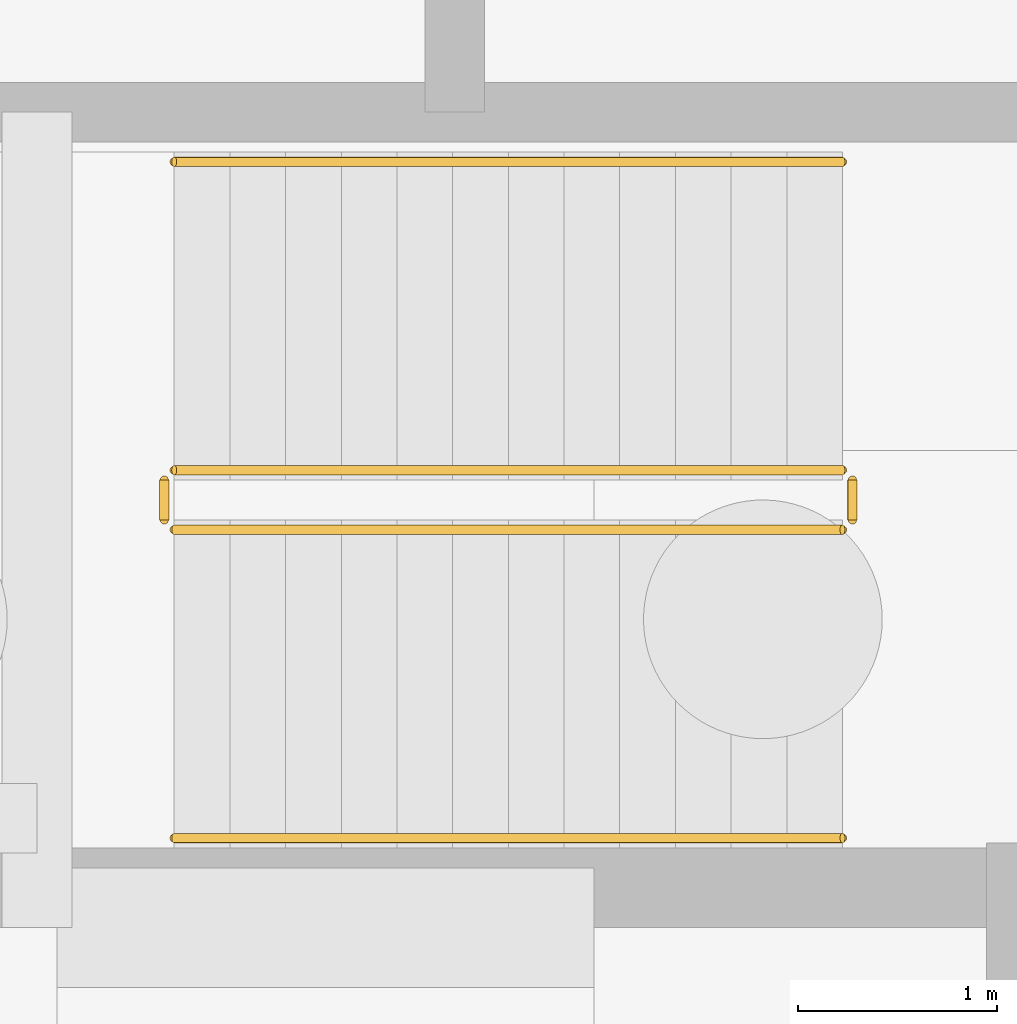
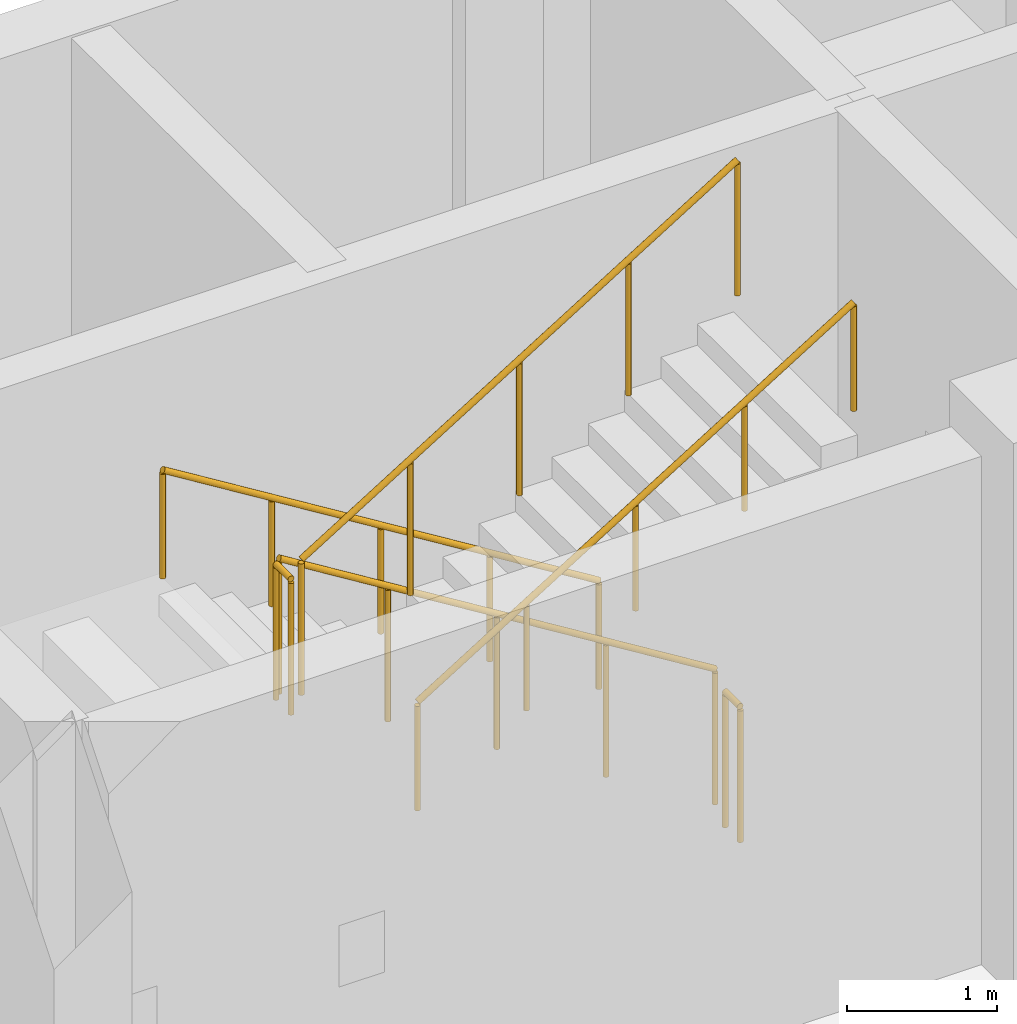
# One storey, part 39 of 42: 6 railings.
"""IFC4 building model written with IfcOpenShell, lengths in metres."""

from ifc_helpers import new_model, si_unit, direction, frame, origin, origin_2d, place, context, subcontext, project, spatial, circle, extrude, material, type_object, element, save


model = new_model("IFC4")

# Units and contexts
model_context = context("Model", 3, precision=1e-05, world=origin(), true_north=direction((0.0, 1.0)))
body_context = subcontext(model_context, "Body", "Model", "MODEL_VIEW")
ifc_project = project(units=[si_unit("LENGTHUNIT", "METRE"), si_unit("AREAUNIT", "SQUARE_METRE"), si_unit("VOLUMEUNIT", "CUBIC_METRE"), si_unit("PLANEANGLEUNIT", "RADIAN"), si_unit("MASSUNIT", "GRAM", prefix="KILO")], contexts=[model_context])

# Site, building, storey
site_placement = place(None, origin())
site = spatial("IfcSite", under=ifc_project, at=site_placement, CompositionType="ELEMENT")
building_placement = place(site_placement, origin())
building = spatial("IfcBuilding", under=site, at=building_placement, Name="Dalvernix Boulevard General Hospital", CompositionType="ELEMENT")
storey_placement = place(building_placement, frame((0.0, 0.0, -4.5)))
storey = spatial("IfcBuildingStorey", under=building, at=storey_placement, Name="B1", CompositionType="ELEMENT", Elevation=-4.5)

# Railings
ifc_material_1 = material(Name="Brushed stainless steel balustrade", Category="steel")
railing_type_1 = type_object("IfcRailingType", Name="RL-GR-INT1", PredefinedType="BALUSTRADE", material=ifc_material_1)
railing_1_placement = place(storey_placement, frame((103.85009765625, 111.800048828125, 0.173095703125)))
element("IfcRailing", 1, at=railing_1_placement, inside=storey, type_object=railing_type_1, Name="B1 ST-04 stair guard 1", PredefinedType="BALUSTRADE", context=body_context, shape_type="SweptSolid", body=[
    extrude(circle(Radius=0.02392578125, at=origin_2d()), frame((0.0, 0.0, 1.09619140625), z_axis=(-0.850623216509, 0.0, 0.525775754039), x_axis=(0.0, -1.0, 0.0)), (0.0, 0.0, 1.0), 3.9501953125),
    extrude(circle(Radius=0.02099609375, at=origin_2d()), origin(), (0.0, 0.0, 1.0), 1.072021484375),
    extrude(circle(Radius=0.02099609375, at=origin_2d()), frame((-0.840087890625, 0.0, 0.519287109375)), (0.0, 0.0, 1.0), 1.072021484375),
    extrude(circle(Radius=0.02099609375, at=origin_2d()), frame((-1.68017578125, 0.0, 1.03857421875)), (0.0, 0.0, 1.0), 1.072021484375),
    extrude(circle(Radius=0.02099609375, at=origin_2d()), frame((-2.52001953125, 0.0, 1.5576171875)), (0.0, 0.0, 1.0), 1.072021484375),
    extrude(circle(Radius=0.02099609375, at=origin_2d()), frame((-3.360107421875, 0.0, 2.076904296875)), (0.0, 0.0, 1.0), 1.072021484375),
])
railing_2_placement = place(storey_placement, frame((100.43994140625, 111.75, 2.25)))
element("IfcRailing", 2, at=railing_2_placement, inside=storey, type_object=railing_type_1, Name="B1 ST-04 stair guard 2", PredefinedType="BALUSTRADE", context=body_context, shape_type="SweptSolid", body=[
    extrude(circle(Radius=0.02392578125, at=origin_2d()), frame((0.0, 0.0, 1.09619140625), z_axis=(0.0, -1.0, 0.0), x_axis=(1.0, 0.0, 0.0)), (0.0, 0.0, 1.0), 0.199951171875),
    extrude(circle(Radius=0.02099609375, at=origin_2d()), origin(), (0.0, 0.0, 1.0), 1.072021484375),
    extrude(circle(Radius=0.02099609375, at=origin_2d()), frame((0.0, -0.199951171875, 0.0)), (0.0, 0.0, 1.0), 1.072021484375),
])
railing_3_placement = place(storey_placement, frame((100.489990234375, 111.5, 2.423095703125)))
element("IfcRailing", 3, at=railing_3_placement, inside=storey, type_object=railing_type_1, Name="B1 ST-04 stair guard 3", PredefinedType="BALUSTRADE", context=body_context, shape_type="SweptSolid", body=[
    extrude(circle(Radius=0.02392578125, at=origin_2d()), frame((0.0, 0.0, 1.09619140625), z_axis=(0.850623216509, 0.0, 0.525775754039), x_axis=(0.0, 1.0, 0.0)), (0.0, 0.0, 1.0), 3.9501953125),
    extrude(circle(Radius=0.02099609375, at=origin_2d()), origin(), (0.0, 0.0, 1.0), 1.072021484375),
    extrude(circle(Radius=0.02099609375, at=origin_2d()), frame((0.840087890625, 0.0, 0.519287109375)), (0.0, 0.0, 1.0), 1.072021484375),
    extrude(circle(Radius=0.02099609375, at=origin_2d()), frame((1.68017578125, 0.0, 1.03857421875)), (0.0, 0.0, 1.0), 1.072021484375),
    extrude(circle(Radius=0.02099609375, at=origin_2d()), frame((2.52001953125, 0.0, 1.5576171875)), (0.0, 0.0, 1.0), 1.072021484375),
    extrude(circle(Radius=0.02099609375, at=origin_2d()), frame((3.360107421875, 0.0, 2.076904296875)), (0.0, 0.0, 1.0), 1.072021484375),
])
railing_4_placement = place(storey_placement, frame((103.89990234375, 111.75, 0.0)))
element("IfcRailing", 4, at=railing_4_placement, inside=storey, type_object=railing_type_1, Name="B1 ST-04 stair guard 4", PredefinedType="BALUSTRADE", context=body_context, shape_type="SweptSolid", body=[
    extrude(circle(Radius=0.02392578125, at=origin_2d()), frame((0.0, 0.0, 1.09619140625), z_axis=(0.0, -1.0, 0.0), x_axis=(1.0, 0.0, 0.0)), (0.0, 0.0, 1.0), 0.199951171875),
    extrude(circle(Radius=0.02099609375, at=origin_2d()), origin(), (0.0, 0.0, 1.0), 1.072021484375),
    extrude(circle(Radius=0.02099609375, at=origin_2d()), frame((0.0, -0.199951171875, 0.0)), (0.0, 0.0, 1.0), 1.072021484375),
])
ifc_material_2 = material(Name="Brushed stainless steel wall handrail", Category="steel")
railing_type_2 = type_object("IfcRailingType", Name="RL-HR-INT1", PredefinedType="HANDRAIL", material=ifc_material_2)
railing_5_placement = place(storey_placement, frame((103.85009765625, 113.35009765625, 0.173095703125)))
element("IfcRailing", 5, at=railing_5_placement, inside=storey, type_object=railing_type_2, Name="B1 ST-04 stair handrail 1", PredefinedType="HANDRAIL", context=body_context, shape_type="SweptSolid", body=[
    extrude(circle(Radius=0.02392578125, at=origin_2d()), frame((0.0, 0.0, 0.8759765625), z_axis=(-0.850623216509, 0.0, 0.525775754039), x_axis=(0.0, -1.0, 0.0)), (0.0, 0.0, 1.0), 3.9501953125),
    extrude(circle(Radius=0.02099609375, at=origin_2d()), origin(), (0.0, 0.0, 1.0), 0.851806640625),
    extrude(circle(Radius=0.02099609375, at=origin_2d()), frame((-0.840087890625, 0.0, 0.519287109375)), (0.0, 0.0, 1.0), 0.851806640625),
    extrude(circle(Radius=0.02099609375, at=origin_2d()), frame((-1.68017578125, 0.0, 1.03857421875)), (0.0, 0.0, 1.0), 0.851806640625),
    extrude(circle(Radius=0.02099609375, at=origin_2d()), frame((-2.52001953125, 0.0, 1.5576171875)), (0.0, 0.0, 1.0), 0.851806640625),
    extrude(circle(Radius=0.02099609375, at=origin_2d()), frame((-3.360107421875, 0.0, 2.076904296875)), (0.0, 0.0, 1.0), 0.851806640625),
])
railing_6_placement = place(storey_placement, frame((100.489990234375, 109.949951171875, 2.423095703125)))
element("IfcRailing", 6, at=railing_6_placement, inside=storey, type_object=railing_type_2, Name="B1 ST-04 stair handrail 2", PredefinedType="HANDRAIL", context=body_context, shape_type="SweptSolid", body=[
    extrude(circle(Radius=0.02392578125, at=origin_2d()), frame((0.0, 0.0, 0.8759765625), z_axis=(0.850623216509, 0.0, 0.525775754039), x_axis=(0.0, 1.0, 0.0)), (0.0, 0.0, 1.0), 3.9501953125),
    extrude(circle(Radius=0.02099609375, at=origin_2d()), origin(), (0.0, 0.0, 1.0), 0.851806640625),
    extrude(circle(Radius=0.02099609375, at=origin_2d()), frame((0.840087890625, 0.0, 0.519287109375)), (0.0, 0.0, 1.0), 0.851806640625),
    extrude(circle(Radius=0.02099609375, at=origin_2d()), frame((1.68017578125, 0.0, 1.03857421875)), (0.0, 0.0, 1.0), 0.851806640625),
    extrude(circle(Radius=0.02099609375, at=origin_2d()), frame((2.52001953125, 0.0, 1.5576171875)), (0.0, 0.0, 1.0), 0.851806640625),
    extrude(circle(Radius=0.02099609375, at=origin_2d()), frame((3.360107421875, 0.0, 2.076904296875)), (0.0, 0.0, 1.0), 0.851806640625),
])

save(model, "model.ifc")
